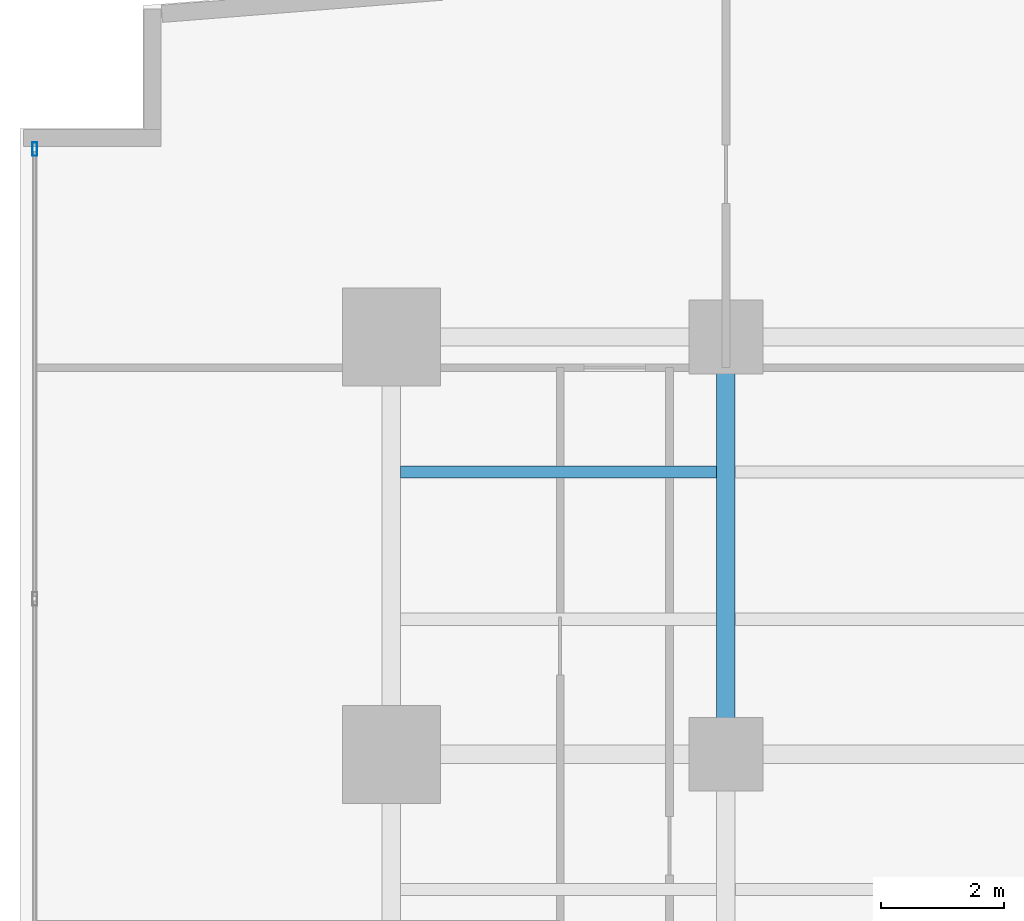
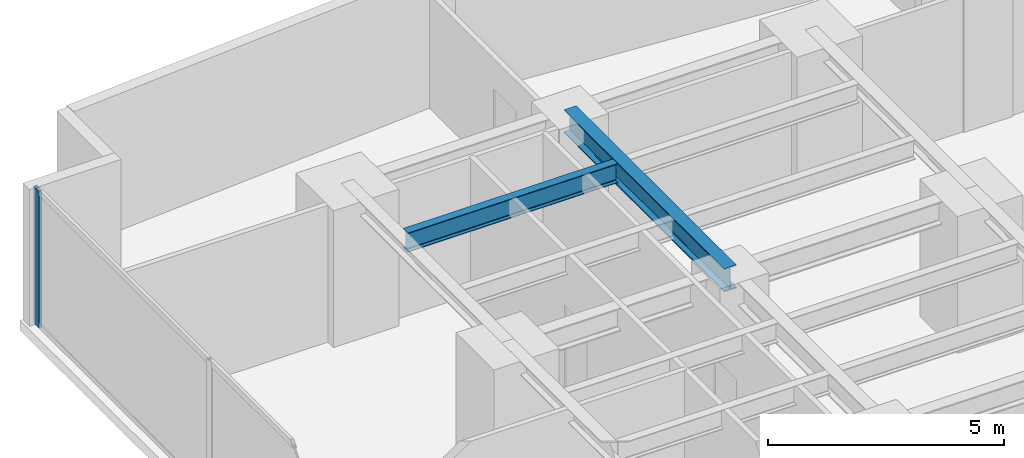
# One storey, part 17 of 27: 2 beams, 1 member, 1 element without a shape of its own.
"""IFC4 building model written with IfcOpenShell, lengths in metres."""

from ifc_helpers import new_model, si_unit, direction, frame, origin, origin_with_axes, origin_2d, place, context, subcontext, project, spatial, hollow_rectangle, i_section, extrude, source, transform, mapped, material, layer, layer_set, material_profile, profile_set, type_object, element, aggregate, save


model = new_model("IFC4")

# Units and contexts
model_context = context("Model", 3, precision=1e-05, world=origin(), true_north=direction((0.0, 1.0)))
body_context = subcontext(model_context, "Body", "Model", "MODEL_VIEW")
ifc_project = project(units=[si_unit("LENGTHUNIT", "METRE"), si_unit("AREAUNIT", "SQUARE_METRE"), si_unit("VOLUMEUNIT", "CUBIC_METRE"), si_unit("PLANEANGLEUNIT", "RADIAN"), si_unit("MASSUNIT", "GRAM", prefix="KILO")], contexts=[model_context])

# Site, building, storey
site_placement = place(None, origin())
site = spatial("IfcSite", under=ifc_project, at=site_placement, CompositionType="ELEMENT")
building_placement = place(site_placement, origin())
building = spatial("IfcBuilding", under=site, at=building_placement, Name="Kolvaren Waterfront Exchange", CompositionType="ELEMENT")
storey_placement = place(building_placement, frame((0.0, 0.0, 33.39990234375)))
storey = spatial("IfcBuildingStorey", under=building, at=storey_placement, Name="L08", CompositionType="ELEMENT", Elevation=33.39990234375)

# Beams
ifc_material_1 = material(Name="Steel S355", Category="steel")
ifc_material_profile_1 = material_profile(ifc_material_1, i_section(OverallWidth=0.300048828125, OverallDepth=0.60009765625, WebThickness=0.015380859375, FlangeThickness=0.030029296875, FilletRadius=0.027099609375, at=origin_2d()), Name="HEB600")
ifc_profile_set_1 = profile_set([ifc_material_profile_1], Name="Steel S355")
beam_type_1 = type_object("IfcBeamType", Name="STR-BM-HEB600", PredefinedType="BEAM", material=ifc_profile_set_1)
beam_1_placement = place(storey_placement, frame((12.89990234375, 37.800048828125, 3.239990234375), z_axis=(0.0, 1.0, 0.0), x_axis=(-1.0, 0.0, 0.0)))
element("IfcBeam", 1, at=beam_1_placement, inside=storey, type_object=beam_type_1, Name="L08 north-arm edge beam 3", PredefinedType="BEAM", context=body_context, shape_type="SweptSolid", body=[
    extrude(i_section(OverallWidth=0.300048828125, OverallDepth=0.60009765625, WebThickness=0.015380859375, FlangeThickness=0.030029296875, FilletRadius=0.027099609375, at=origin_2d()), origin(), (0.0, 0.0, 1.0), 6.800048828125),
])
ifc_material_profile_2 = material_profile(ifc_material_1, i_section(OverallWidth=0.199951171875, OverallDepth=0.5, WebThickness=0.01025390625, FlangeThickness=0.01611328125, FilletRadius=0.02099609375, at=origin_2d()), Name="IPE500")
ifc_profile_set_2 = profile_set([ifc_material_profile_2], Name="Steel S355")
beam_type_2 = type_object("IfcBeamType", Name="STR-BM-IPE500", PredefinedType="JOIST", material=ifc_profile_set_2)
beam_2_placement = place(storey_placement, frame((7.60205078125, 42.39990234375, 3.2900390625), z_axis=(1.0, 0.0, 0.0), x_axis=(0.0, 1.0, 0.0)))
element("IfcBeam", 2, at=beam_2_placement, inside=storey, type_object=beam_type_2, Name="L08 north-arm composite joist 6A", PredefinedType="JOIST", context=body_context, shape_type="SweptSolid", body=[
    extrude(i_section(OverallWidth=0.199951171875, OverallDepth=0.5, WebThickness=0.01025390625, FlangeThickness=0.01611328125, FilletRadius=0.02099609375, at=origin_2d()), origin(), (0.0, 0.0, 1.0), 5.14599609375),
])

# Curtain wall, member
ifc_material_2 = material(Name="Anodised aluminium 6063-T6", Category="aluminium")
ifc_layer = layer(ifc_material_2, 0.219970703125, Name="Anodised aluminium 6063-T6")
ifc_layer_set = layer_set([ifc_layer], Name="Anodised aluminium 6063-T6")
curtain_wall_type = type_object("IfcCurtainWallType", Name="ARC-CW-SYS2", PredefinedType="USERDEFINED", material=ifc_layer_set)
curtain_wall_placement = place(storey_placement, origin())
curtain_wall = element("IfcCurtainWall", 3, at=curtain_wall_placement, inside=storey, type_object=curtain_wall_type, Name="L08 stick curtain wall CW2 (CW-L08-W)", ObjectType="STICK CURTAIN WALL", PredefinedType="USERDEFINED")
ifc_material_profile_3 = material_profile(ifc_material_2, hollow_rectangle(XDim=0.080078125, YDim=0.219970703125, WallThickness=0.0048828125, at=origin_2d()), Name="ALU-MUL-220x80x5")
ifc_profile_set_3 = profile_set([ifc_material_profile_3], Name="Anodised aluminium 6063-T6")
member_type = type_object("IfcMemberType", Name="ARC-CWM-220", PredefinedType="MULLION", material=ifc_profile_set_3)
shared_shape = source(origin_with_axes(), body_context, "Body", "SweptSolid", [
    extrude(hollow_rectangle(XDim=0.080078125, YDim=0.219970703125, WallThickness=0.0048828125, at=origin_2d()), origin(), (0.0, 0.0, 1.0), 3.5400390625),
])
member_placement = place(storey_placement, frame((1.639892578125, 47.659912109375, 0.0), z_axis=(0.0, 0.0, 1.0), x_axis=(-1.0, 0.0, 0.0)))
member = element("IfcMember", 4, at=member_placement, type_object=member_type, Name="CW2 mullion 7", PredefinedType="MULLION", context=body_context, shape_type="MappedRepresentation", body=[
    mapped(shared_shape, transform((0.0, 0.0, 0.0), x_axis=(1.0, 0.0, 0.0), y_axis=(0.0, 1.0, 0.0), z_axis=(0.0, 0.0, 1.0), scale=1.0)),
])
aggregate(curtain_wall, [member])

save(model, "model.ifc")
